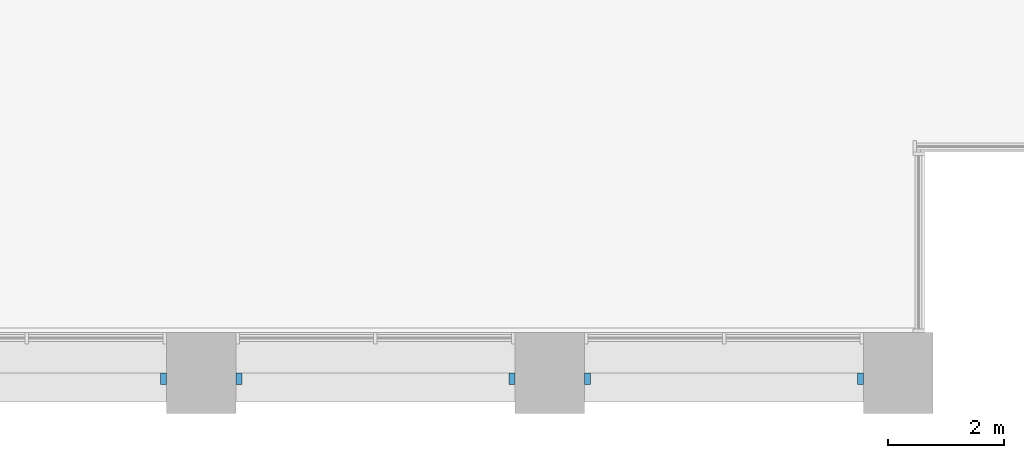
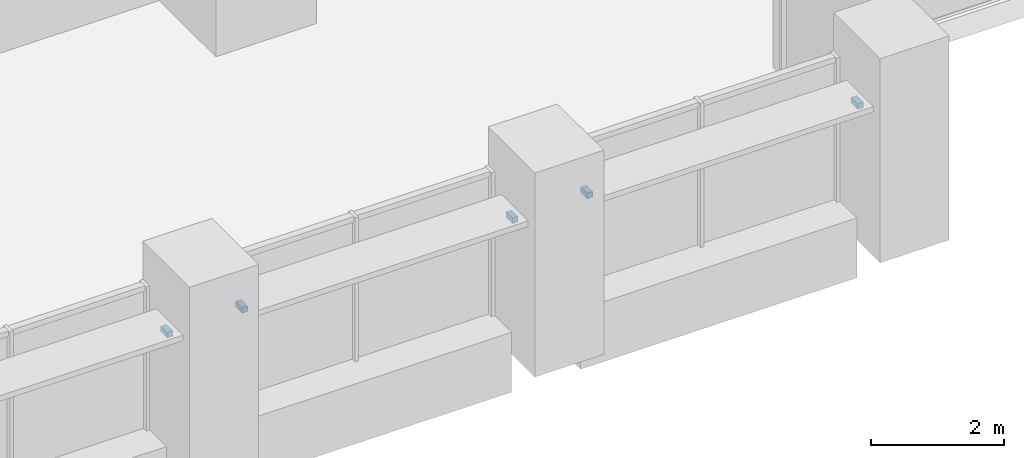
# One storey, part 16 of 18: 5 discrete accessories.
"""IFC4 building model written with IfcOpenShell, lengths in metres."""

from ifc_helpers import new_model, si_unit, direction, frame, origin, origin_2d, place, context, subcontext, project, spatial, rectangle, extrude, element, save


model = new_model("IFC4")

# Units and contexts
model_context = context("Model", 3, precision=1e-05, world=origin(), true_north=direction((0.0, 1.0)))
body_context = subcontext(model_context, "Body", "Model", "MODEL_VIEW")
ifc_project = project(units=[si_unit("LENGTHUNIT", "METRE"), si_unit("AREAUNIT", "SQUARE_METRE"), si_unit("VOLUMEUNIT", "CUBIC_METRE"), si_unit("PLANEANGLEUNIT", "RADIAN"), si_unit("MASSUNIT", "GRAM", prefix="KILO")], contexts=[model_context])

# Site, building, storey
site_placement = place(None, origin())
site = spatial("IfcSite", under=ifc_project, at=site_placement, CompositionType="ELEMENT")
building_placement = place(site_placement, origin())
building = spatial("IfcBuilding", under=site, at=building_placement, Name="Calvaro Tower", CompositionType="ELEMENT")
storey_placement = place(building_placement, frame((0.0, 0.0, 41.25)))
storey = spatial("IfcBuildingStorey", under=building, at=storey_placement, Name="L09", CompositionType="ELEMENT", Elevation=41.25)

# Discrete accessories
for number, where, z_axis, x_axis, name in (
    (1, (59.35009765625, 0.60009765625, 2.14990234375), (0.0, 0.0, 1.0), (1.0, 0.0, 0.0), "Brise-soleil bracket"),
    (2, (60.64990234375, 0.60009765625, 2.14990234375), (0.0, 0.0, 1.0), (1.0, 0.0, 0.0), "Brise-soleil bracket"),
    (3, (65.35009765625, 0.60009765625, 2.14990234375), (0.0, 0.0, 1.0), (1.0, 0.0, 0.0), "Brise-soleil bracket"),
    (4, (66.64990234375, 0.60009765625, 2.14990234375), (0.0, 0.0, 1.0), (1.0, 0.0, 0.0), "Brise-soleil bracket"),
    (5, (71.35009765625, 0.60009765625, 2.14990234375), (0.0, 0.0, 1.0), (1.0, 0.0, 0.0), "Brise-soleil bracket"),
):
    element("IfcDiscreteAccessory", number, at=place(storey_placement, frame(where, z_axis=z_axis, x_axis=x_axis)), inside=storey, Name=name, PredefinedType="BRACKET", context=body_context, shape_type="SweptSolid", body=[
        extrude(rectangle(XDim=0.10009765625, YDim=0.199951171875, at=origin_2d()), origin(), (0.0, 0.0, 1.0), 0.10009765625),
    ])

save(model, "model.ifc")
